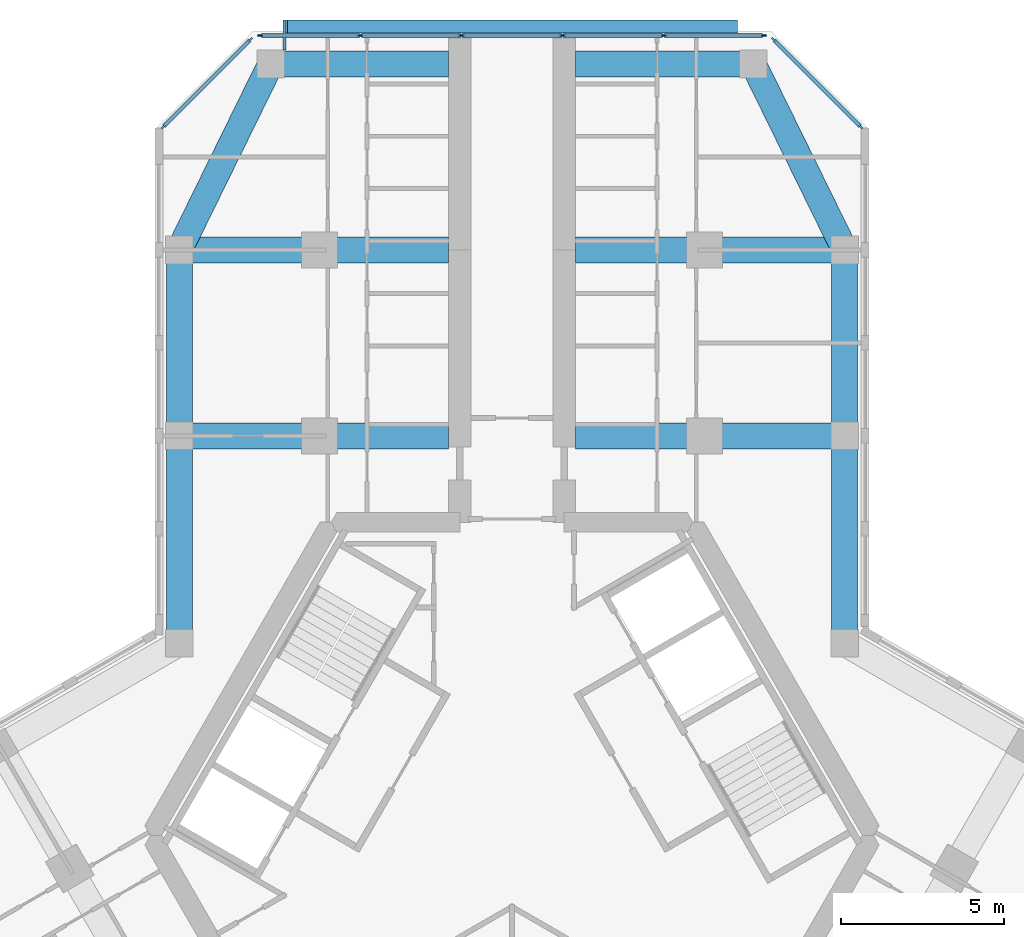
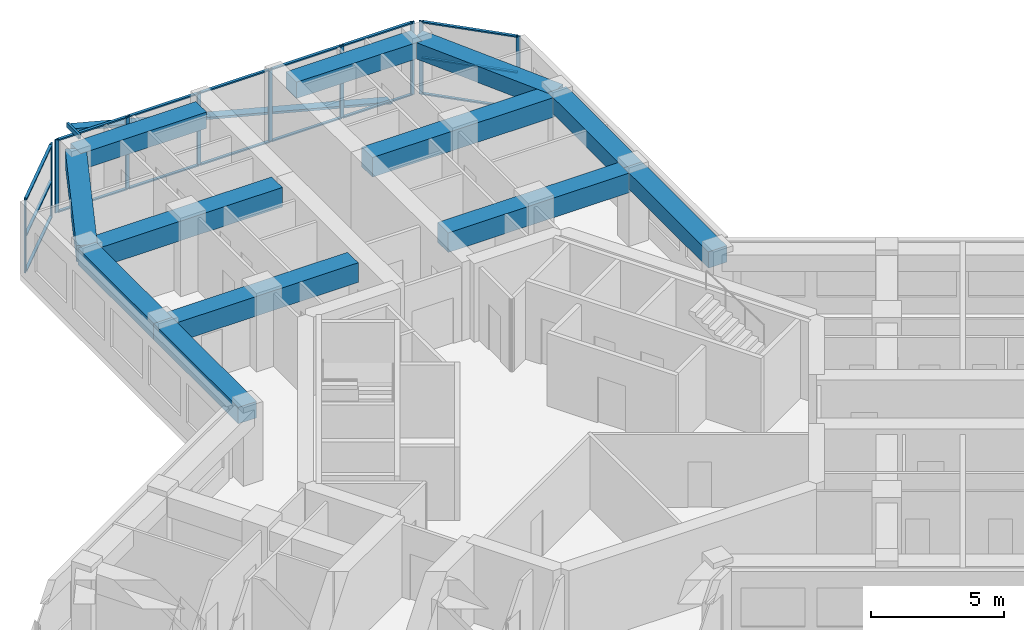
# One storey, part 6 of 16: 28 members, 12 beams, 3 elements without a shape of their own.
"""IFC4 building model written with IfcOpenShell, lengths in metres."""

from ifc_helpers import new_model, si_unit, direction, frame, origin, origin_2d, place, context, subcontext, project, spatial, rectangle, hollow_rectangle, extrude, material, material_profile, profile_set, type_object, element, aggregate, save


model = new_model("IFC4")

# Units and contexts
model_context = context("Model", 3, precision=1e-05, world=origin(), true_north=direction((0.0, 1.0)))
body_context = subcontext(model_context, "Body", "Model", "MODEL_VIEW")
ifc_project = project(units=[si_unit("LENGTHUNIT", "METRE"), si_unit("AREAUNIT", "SQUARE_METRE"), si_unit("VOLUMEUNIT", "CUBIC_METRE"), si_unit("PLANEANGLEUNIT", "RADIAN"), si_unit("MASSUNIT", "GRAM", prefix="KILO")], contexts=[model_context])

# Site, building, storey
site_placement = place(None, origin())
site = spatial("IfcSite", under=ifc_project, at=site_placement, CompositionType="ELEMENT")
building_placement = place(site_placement, origin())
building = spatial("IfcBuilding", under=site, at=building_placement, Name="Kosmar Iwan School Tower", CompositionType="ELEMENT")
storey_placement = place(building_placement, frame((0.0, 0.0, 253.199951171875)))
storey = spatial("IfcBuildingStorey", under=building, at=storey_placement, Name="L64", CompositionType="ELEMENT", Elevation=253.199951171875)

# Members
ifc_material_1 = material(Name="Black anodised aluminium", Category="aluminium")
ifc_material_profile_1 = material_profile(ifc_material_1, rectangle(XDim=0.10009765625, YDim=0.39990234375, at=origin_2d()), Name="FIN 100x400")
ifc_profile_set_1 = profile_set([ifc_material_profile_1], Name="Black anodised aluminium")
member_type_1 = type_object("IfcMemberType", Name="Diagonal fin 100x400", PredefinedType="USERDEFINED", material=ifc_profile_set_1)
member_1_placement = place(storey_placement, frame((6.898193359375, 24.800048828125, -0.14990234375), z_axis=(-0.967603633438, 0.0, 0.252474174041), x_axis=(0.252474174041, 0.0, 0.967603633438)))
element("IfcMember", 1, at=member_1_placement, inside=storey, type_object=member_type_1, Name="Diagonal fin L64-F06", ObjectType="FIN", PredefinedType="USERDEFINED", context=body_context, shape_type="SweptSolid", body=[
    extrude(rectangle(XDim=0.10009765625, YDim=0.39990234375, at=origin_2d()), origin(), (0.0, 0.0, 1.0), 14.25830078125),
])
ifc_material_2 = material(Name="Steel S355", Category="steel")
ifc_material_profile_2 = material_profile(ifc_material_2, hollow_rectangle(XDim=0.10009765625, YDim=0.199951171875, WallThickness=0.008056640625, at=origin_2d()), Name="RHS 200x100x8")
ifc_profile_set_2 = profile_set([ifc_material_profile_2], Name="Steel S355")
member_type_2 = type_object("IfcMemberType", Name="Fin bracket RHS 200x100", PredefinedType="USERDEFINED", material=ifc_profile_set_2)
member_2_placement = place(storey_placement, frame((-6.97509765625, 24.074951171875, 3.47509765625), z_axis=(0.0, 1.0, 0.0), x_axis=(-1.0, 0.0, 0.0)))
element("IfcMember", 2, at=member_2_placement, inside=storey, type_object=member_type_2, Name="Fin bracket L65", ObjectType="FIN BRACKET", PredefinedType="USERDEFINED", context=body_context, shape_type="SweptSolid", body=[
    extrude(hollow_rectangle(XDim=0.10009765625, YDim=0.199951171875, WallThickness=0.008056640625, at=origin_2d()), origin(), (0.0, 0.0, 1.0), 0.925048828125),
])

# Curtain wall, members
ifc_material_3 = material(Name="Dark glass in black aluminium frame", Category="aluminium")
curtain_wall_type_1 = type_object("IfcCurtainWallType", Name="Chamfer curtain wall dark glass", PredefinedType="USERDEFINED", material=ifc_material_3)
curtain_wall_1_placement = place(storey_placement, origin())
curtain_wall_1 = element("IfcCurtainWall", 3, at=curtain_wall_1_placement, inside=storey, type_object=curtain_wall_type_1, Name="Curtain wall L64-F05", ObjectType="FACETED CURTAIN WALL", PredefinedType="USERDEFINED")
ifc_material_4 = material(Name="Black anodised aluminium", Category="aluminium")
ifc_material_profile_3 = material_profile(ifc_material_4, rectangle(XDim=0.06005859375, YDim=0.159912109375, at=origin_2d()), Name="MULLION 60x160")
ifc_profile_set_3 = profile_set([ifc_material_profile_3], Name="Black anodised aluminium")
member_type_3 = type_object("IfcMemberType", Name="Mullion 60x160", PredefinedType="MULLION", material=ifc_profile_set_3)
member_3_placement = place(storey_placement, frame((10.69775390625, 21.7255859375, 0.0), z_axis=(0.0, 0.0, 1.0), x_axis=(-0.707106781187, -0.707106781187, 0.0)))
member_3 = element("IfcMember", 4, at=member_3_placement, type_object=member_type_3, Name="CW2 mullion 1", PredefinedType="MULLION", context=body_context, shape_type="SweptSolid", body=[
    extrude(rectangle(XDim=0.06005859375, YDim=0.159912109375, at=origin_2d()), origin(), (0.0, 0.0, 1.0), 3.35009765625),
])
member_4_placement = place(storey_placement, frame((8.025390625, 24.397705078125, 0.0), z_axis=(0.0, 0.0, 1.0), x_axis=(-0.707106781187, -0.707106781187, 0.0)))
member_4 = element("IfcMember", 5, at=member_4_placement, type_object=member_type_3, Name="CW2 mullion 2", PredefinedType="MULLION", context=body_context, shape_type="SweptSolid", body=[
    extrude(rectangle(XDim=0.06005859375, YDim=0.159912109375, at=origin_2d()), origin(), (0.0, 0.0, 1.0), 3.35009765625),
])

ifc_material_5 = material(Name="Dark glass in black aluminium frame", Category="aluminium")
curtain_wall_type_2 = type_object("IfcCurtainWallType", Name="Tower curtain wall dark glass", PredefinedType="USERDEFINED", material=ifc_material_5)
curtain_wall_2_placement = place(storey_placement, origin())
curtain_wall_2 = element("IfcCurtainWall", 6, at=curtain_wall_2_placement, inside=storey, type_object=curtain_wall_type_2, Name="Curtain wall L64-F06", ObjectType="UNITISED CURTAIN WALL", PredefinedType="USERDEFINED")
member_5_placement = place(storey_placement, frame((7.71826171875, 24.52490234375, 0.0), z_axis=(0.0, 0.0, 1.0), x_axis=(0.0, -1.0, 0.0)))
member_5 = element("IfcMember", 7, at=member_5_placement, type_object=member_type_3, Name="CW1 mullion 1", PredefinedType="MULLION", context=body_context, shape_type="SweptSolid", body=[
    extrude(rectangle(XDim=0.06005859375, YDim=0.159912109375, at=origin_2d()), origin(), (0.0, 0.0, 1.0), 3.35009765625),
])
member_6_placement = place(storey_placement, frame((4.64892578125, 24.52490234375, 0.0), z_axis=(0.0, 0.0, 1.0), x_axis=(0.0, -1.0, 0.0)))
member_6 = element("IfcMember", 8, at=member_6_placement, type_object=member_type_3, Name="CW1 mullion 2", PredefinedType="MULLION", context=body_context, shape_type="SweptSolid", body=[
    extrude(rectangle(XDim=0.06005859375, YDim=0.159912109375, at=origin_2d()), origin(), (0.0, 0.0, 1.0), 3.35009765625),
])
member_7_placement = place(storey_placement, frame((1.549560546875, 24.52490234375, 0.0), z_axis=(0.0, 0.0, 1.0), x_axis=(0.0, -1.0, 0.0)))
member_7 = element("IfcMember", 9, at=member_7_placement, type_object=member_type_3, Name="CW1 mullion 3", PredefinedType="MULLION", context=body_context, shape_type="SweptSolid", body=[
    extrude(rectangle(XDim=0.06005859375, YDim=0.159912109375, at=origin_2d()), origin(), (0.0, 0.0, 1.0), 3.35009765625),
])
member_8_placement = place(storey_placement, frame((-1.549560546875, 24.52490234375, 0.0), z_axis=(0.0, 0.0, 1.0), x_axis=(0.0, -1.0, 0.0)))
member_8 = element("IfcMember", 10, at=member_8_placement, type_object=member_type_3, Name="CW1 mullion 4", PredefinedType="MULLION", context=body_context, shape_type="SweptSolid", body=[
    extrude(rectangle(XDim=0.06005859375, YDim=0.159912109375, at=origin_2d()), origin(), (0.0, 0.0, 1.0), 3.35009765625),
])
member_9_placement = place(storey_placement, frame((-4.64892578125, 24.52490234375, 0.0), z_axis=(0.0, 0.0, 1.0), x_axis=(0.0, -1.0, 0.0)))
member_9 = element("IfcMember", 11, at=member_9_placement, type_object=member_type_3, Name="CW1 mullion 5", PredefinedType="MULLION", context=body_context, shape_type="SweptSolid", body=[
    extrude(rectangle(XDim=0.06005859375, YDim=0.159912109375, at=origin_2d()), origin(), (0.0, 0.0, 1.0), 3.35009765625),
])
member_10_placement = place(storey_placement, frame((-7.71826171875, 24.52490234375, 0.0), z_axis=(0.0, 0.0, 1.0), x_axis=(0.0, -1.0, 0.0)))
member_10 = element("IfcMember", 12, at=member_10_placement, type_object=member_type_3, Name="CW1 mullion 6", PredefinedType="MULLION", context=body_context, shape_type="SweptSolid", body=[
    extrude(rectangle(XDim=0.06005859375, YDim=0.159912109375, at=origin_2d()), origin(), (0.0, 0.0, 1.0), 3.35009765625),
])

curtain_wall_3_placement = place(storey_placement, origin())
curtain_wall_3 = element("IfcCurtainWall", 13, at=curtain_wall_3_placement, inside=storey, type_object=curtain_wall_type_1, Name="Curtain wall L64-F07", ObjectType="FACETED CURTAIN WALL", PredefinedType="USERDEFINED")
member_11_placement = place(storey_placement, frame((-8.025390625, 24.397705078125, 0.0), z_axis=(0.0, 0.0, 1.0), x_axis=(0.707106781187, -0.707106781187, 0.0)))
member_11 = element("IfcMember", 14, at=member_11_placement, type_object=member_type_3, Name="CW2 mullion 1", PredefinedType="MULLION", context=body_context, shape_type="SweptSolid", body=[
    extrude(rectangle(XDim=0.06005859375, YDim=0.159912109375, at=origin_2d()), origin(), (0.0, 0.0, 1.0), 3.35009765625),
])
member_12_placement = place(storey_placement, frame((-10.69775390625, 21.7255859375, 0.0), z_axis=(0.0, 0.0, 1.0), x_axis=(0.707106781187, -0.707106781187, 0.0)))
member_12 = element("IfcMember", 15, at=member_12_placement, type_object=member_type_3, Name="CW2 mullion 2", PredefinedType="MULLION", context=body_context, shape_type="SweptSolid", body=[
    extrude(rectangle(XDim=0.06005859375, YDim=0.159912109375, at=origin_2d()), origin(), (0.0, 0.0, 1.0), 3.35009765625),
])

# Beams
ifc_material_6 = material(Name="Concrete C50/60", Category="concrete")
ifc_material_profile_4 = material_profile(ifc_material_6, rectangle(XDim=0.800048828125, YDim=0.75, at=origin_2d()), Name="RC 800x750")
ifc_profile_set_4 = profile_set([ifc_material_profile_4], Name="Concrete C50/60")
beam_type_1 = type_object("IfcBeamType", Name="RC edge beam 800x750", PredefinedType="BEAM", material=ifc_profile_set_4)
beam_1_placement = place(storey_placement, frame((-10.199951171875, 5.888916015625, 2.97509765625), z_axis=(0.0, 1.0, 0.0), x_axis=(-1.0, 0.0, 0.0)))
element("IfcBeam", 16, at=beam_1_placement, inside=storey, type_object=beam_type_1, Name="Edge beam AL1", PredefinedType="BEAM", context=body_context, shape_type="SweptSolid", body=[
    extrude(rectangle(XDim=0.800048828125, YDim=0.75, at=origin_2d()), origin(), (0.0, 0.0, 1.0), 6.361083984375),
])
beam_2_placement = place(storey_placement, frame((-10.199951171875, 12.25, 2.97509765625), z_axis=(0.0, 1.0, 0.0), x_axis=(-1.0, 0.0, 0.0)))
element("IfcBeam", 17, at=beam_2_placement, inside=storey, type_object=beam_type_1, Name="Edge beam AL2", PredefinedType="BEAM", context=body_context, shape_type="SweptSolid", body=[
    extrude(rectangle(XDim=0.800048828125, YDim=0.75, at=origin_2d()), origin(), (0.0, 0.0, 1.0), 5.699951171875),
])
beam_3_placement = place(storey_placement, frame((10.199951171875, 5.888916015625, 2.97509765625), z_axis=(0.0, 1.0, 0.0), x_axis=(-1.0, 0.0, 0.0)))
element("IfcBeam", 18, at=beam_3_placement, inside=storey, type_object=beam_type_1, Name="Edge beam AR1", PredefinedType="BEAM", context=body_context, shape_type="SweptSolid", body=[
    extrude(rectangle(XDim=0.800048828125, YDim=0.75, at=origin_2d()), origin(), (0.0, 0.0, 1.0), 6.361083984375),
])
beam_4_placement = place(storey_placement, frame((10.199951171875, 12.25, 2.97509765625), z_axis=(0.0, 1.0, 0.0), x_axis=(-1.0, 0.0, 0.0)))
element("IfcBeam", 19, at=beam_4_placement, inside=storey, type_object=beam_type_1, Name="Edge beam AR2", PredefinedType="BEAM", context=body_context, shape_type="SweptSolid", body=[
    extrude(rectangle(XDim=0.800048828125, YDim=0.75, at=origin_2d()), origin(), (0.0, 0.0, 1.0), 5.699951171875),
])
ifc_material_7 = material(Name="Concrete C50/60", Category="concrete")
ifc_material_profile_5 = material_profile(ifc_material_7, rectangle(XDim=0.800048828125, YDim=0.75, at=origin_2d()), Name="RC 800x750")
ifc_profile_set_5 = profile_set([ifc_material_profile_5], Name="Concrete C50/60")
beam_type_2 = type_object("IfcBeamType", Name="RC tip beam 800x750", PredefinedType="BEAM", material=ifc_profile_set_5)
beam_5_placement = place(storey_placement, frame((-10.199951171875, 17.949951171875, 2.97509765625), z_axis=(0.440913116462, 0.897549788999, 0.0), x_axis=(-0.897549788999, 0.440913116462, 0.0)))
element("IfcBeam", 20, at=beam_5_placement, inside=storey, type_object=beam_type_2, Name="Tip beam AL", PredefinedType="BEAM", context=body_context, shape_type="SweptSolid", body=[
    extrude(rectangle(XDim=0.800048828125, YDim=0.75, at=origin_2d()), origin(), (0.0, 0.0, 1.0), 6.3505859375),
])
beam_6_placement = place(storey_placement, frame((-7.39990234375, 23.64990234375, 2.97509765625), z_axis=(1.0, 0.0, 0.0), x_axis=(0.0, 1.0, 0.0)))
element("IfcBeam", 21, at=beam_6_placement, inside=storey, type_object=beam_type_2, Name="Tip beam AL to corridor wall", PredefinedType="BEAM", context=body_context, shape_type="SweptSolid", body=[
    extrude(rectangle(XDim=0.800048828125, YDim=0.75, at=origin_2d()), origin(), (0.0, 0.0, 1.0), 5.449951171875),
])
beam_7_placement = place(storey_placement, frame((10.199951171875, 17.949951171875, 2.97509765625), z_axis=(-0.440913116462, 0.897549788999, 0.0), x_axis=(-0.897549788999, -0.440913116462, 0.0)))
element("IfcBeam", 22, at=beam_7_placement, inside=storey, type_object=beam_type_2, Name="Tip beam AR", PredefinedType="BEAM", context=body_context, shape_type="SweptSolid", body=[
    extrude(rectangle(XDim=0.800048828125, YDim=0.75, at=origin_2d()), origin(), (0.0, 0.0, 1.0), 6.3505859375),
])
beam_8_placement = place(storey_placement, frame((7.39990234375, 23.64990234375, 2.97509765625), z_axis=(-1.0, 0.0, 0.0), x_axis=(0.0, -1.0, 0.0)))
element("IfcBeam", 23, at=beam_8_placement, inside=storey, type_object=beam_type_2, Name="Tip beam AR to corridor wall", PredefinedType="BEAM", context=body_context, shape_type="SweptSolid", body=[
    extrude(rectangle(XDim=0.800048828125, YDim=0.75, at=origin_2d()), origin(), (0.0, 0.0, 1.0), 5.449951171875),
])
ifc_material_8 = material(Name="Concrete C50/60", Category="concrete")
ifc_material_profile_6 = material_profile(ifc_material_8, rectangle(XDim=0.800048828125, YDim=0.89990234375, at=origin_2d()), Name="RC 800x900")
ifc_profile_set_6 = profile_set([ifc_material_profile_6], Name="Concrete C50/60")
beam_type_3 = type_object("IfcBeamType", Name="RC transverse beam 800x900", PredefinedType="BEAM", material=ifc_profile_set_6)
for number, where, z_axis, x_axis, name in (
    (24, (-10.199951171875, 12.25, 2.900146484375), (1.0, 0.0, 0.0), (0.0, 1.0, 0.0), "Transverse beam AL1"),
    (25, (-10.199951171875, 17.949951171875, 2.900146484375), (1.0, 0.0, 0.0), (0.0, 1.0, 0.0), "Transverse beam AL2"),
    (26, (10.199951171875, 12.25, 2.900146484375), (-1.0, 0.0, 0.0), (0.0, -1.0, 0.0), "Transverse beam AR1"),
    (27, (10.199951171875, 17.949951171875, 2.900146484375), (-1.0, 0.0, 0.0), (0.0, -1.0, 0.0), "Transverse beam AR2"),
):
    element("IfcBeam", number, at=place(storey_placement, frame(where, z_axis=z_axis, x_axis=x_axis)), inside=storey, type_object=beam_type_3, Name=name, PredefinedType="BEAM", context=body_context, shape_type="SweptSolid", body=[
        extrude(rectangle(XDim=0.800048828125, YDim=0.89990234375, at=origin_2d()), origin(), (0.0, 0.0, 1.0), 8.25),
    ])

# Member
ifc_material_9 = material(Name="Black anodised aluminium", Category="aluminium")
ifc_material_profile_7 = material_profile(ifc_material_9, rectangle(XDim=0.1201171875, YDim=0.06005859375, at=origin_2d()), Name="TRANSOM 60x120")
ifc_profile_set_7 = profile_set([ifc_material_profile_7], Name="Black anodised aluminium")
member_type_4 = type_object("IfcMemberType", Name="Transom 60x120", PredefinedType="USERDEFINED", material=ifc_profile_set_7)
member_13_placement = place(storey_placement, frame((10.676513671875, 21.746826171875, 0.030029296875), z_axis=(-0.707139603466, 0.707073957383, 0.0), x_axis=(-0.707073957383, -0.707139603466, 0.0)))
member_13 = element("IfcMember", 28, at=member_13_placement, type_object=member_type_4, Name="CW2 transom 1.1", ObjectType="TRANSOM", PredefinedType="USERDEFINED", context=body_context, shape_type="SweptSolid", body=[
    extrude(rectangle(XDim=0.1201171875, YDim=0.06005859375, at=origin_2d()), origin(), (0.0, 0.0, 1.0), 3.718994140625),
])

member_14_placement = place(storey_placement, frame((10.676513671875, 21.746826171875, 1.675048828125), z_axis=(-0.707139603466, 0.707073957383, 0.0), x_axis=(-0.707073957383, -0.707139603466, 0.0)))
member_14 = element("IfcMember", 29, at=member_14_placement, type_object=member_type_4, Name="CW2 transom 1.2", ObjectType="TRANSOM", PredefinedType="USERDEFINED", context=body_context, shape_type="SweptSolid", body=[
    extrude(rectangle(XDim=0.1201171875, YDim=0.06005859375, at=origin_2d()), origin(), (0.0, 0.0, 1.0), 3.718994140625),
])

member_15_placement = place(storey_placement, frame((10.676513671875, 21.746826171875, 3.320068359375), z_axis=(-0.707139603466, 0.707073957383, 0.0), x_axis=(-0.707073957383, -0.707139603466, 0.0)))
member_15 = element("IfcMember", 30, at=member_15_placement, type_object=member_type_4, Name="CW2 transom 1.3", ObjectType="TRANSOM", PredefinedType="USERDEFINED", context=body_context, shape_type="SweptSolid", body=[
    extrude(rectangle(XDim=0.1201171875, YDim=0.06005859375, at=origin_2d()), origin(), (0.0, 0.0, 1.0), 3.718994140625),
])

aggregate(curtain_wall_1, [member_3, member_4, member_13, member_14, member_15])

member_16_placement = place(storey_placement, frame((7.688232421875, 24.52490234375, 0.030029296875), z_axis=(-1.0, 0.0, 0.0), x_axis=(0.0, -1.0, 0.0)))
member_16 = element("IfcMember", 31, at=member_16_placement, type_object=member_type_4, Name="CW1 transom 1.1", ObjectType="TRANSOM", PredefinedType="USERDEFINED", context=body_context, shape_type="SweptSolid", body=[
    extrude(rectangle(XDim=0.1201171875, YDim=0.06005859375, at=origin_2d()), origin(), (0.0, 0.0, 1.0), 3.00927734375),
])

member_17_placement = place(storey_placement, frame((7.688232421875, 24.52490234375, 3.320068359375), z_axis=(-1.0, 0.0, 0.0), x_axis=(0.0, -1.0, 0.0)))
member_17 = element("IfcMember", 32, at=member_17_placement, type_object=member_type_4, Name="CW1 transom 1.2", ObjectType="TRANSOM", PredefinedType="USERDEFINED", context=body_context, shape_type="SweptSolid", body=[
    extrude(rectangle(XDim=0.1201171875, YDim=0.06005859375, at=origin_2d()), origin(), (0.0, 0.0, 1.0), 3.00927734375),
])

member_18_placement = place(storey_placement, frame((4.618896484375, 24.52490234375, 0.030029296875), z_axis=(-1.0, 0.0, 0.0), x_axis=(0.0, -1.0, 0.0)))
member_18 = element("IfcMember", 33, at=member_18_placement, type_object=member_type_4, Name="CW1 transom 2.1", ObjectType="TRANSOM", PredefinedType="USERDEFINED", context=body_context, shape_type="SweptSolid", body=[
    extrude(rectangle(XDim=0.1201171875, YDim=0.06005859375, at=origin_2d()), origin(), (0.0, 0.0, 1.0), 3.039306640625),
])

member_19_placement = place(storey_placement, frame((4.618896484375, 24.52490234375, 3.320068359375), z_axis=(-1.0, 0.0, 0.0), x_axis=(0.0, -1.0, 0.0)))
member_19 = element("IfcMember", 34, at=member_19_placement, type_object=member_type_4, Name="CW1 transom 2.2", ObjectType="TRANSOM", PredefinedType="USERDEFINED", context=body_context, shape_type="SweptSolid", body=[
    extrude(rectangle(XDim=0.1201171875, YDim=0.06005859375, at=origin_2d()), origin(), (0.0, 0.0, 1.0), 3.039306640625),
])

member_20_placement = place(storey_placement, frame((1.51953125, 24.52490234375, 0.030029296875), z_axis=(-1.0, 0.0, 0.0), x_axis=(0.0, -1.0, 0.0)))
member_20 = element("IfcMember", 35, at=member_20_placement, type_object=member_type_4, Name="CW1 transom 3.1", ObjectType="TRANSOM", PredefinedType="USERDEFINED", context=body_context, shape_type="SweptSolid", body=[
    extrude(rectangle(XDim=0.1201171875, YDim=0.06005859375, at=origin_2d()), origin(), (0.0, 0.0, 1.0), 3.0390625),
])

member_21_placement = place(storey_placement, frame((1.51953125, 24.52490234375, 3.320068359375), z_axis=(-1.0, 0.0, 0.0), x_axis=(0.0, -1.0, 0.0)))
member_21 = element("IfcMember", 36, at=member_21_placement, type_object=member_type_4, Name="CW1 transom 3.2", ObjectType="TRANSOM", PredefinedType="USERDEFINED", context=body_context, shape_type="SweptSolid", body=[
    extrude(rectangle(XDim=0.1201171875, YDim=0.06005859375, at=origin_2d()), origin(), (0.0, 0.0, 1.0), 3.0390625),
])

member_22_placement = place(storey_placement, frame((-1.57958984375, 24.52490234375, 0.030029296875), z_axis=(-1.0, 0.0, 0.0), x_axis=(0.0, -1.0, 0.0)))
member_22 = element("IfcMember", 37, at=member_22_placement, type_object=member_type_4, Name="CW1 transom 4.1", ObjectType="TRANSOM", PredefinedType="USERDEFINED", context=body_context, shape_type="SweptSolid", body=[
    extrude(rectangle(XDim=0.1201171875, YDim=0.06005859375, at=origin_2d()), origin(), (0.0, 0.0, 1.0), 3.039306640625),
])

member_23_placement = place(storey_placement, frame((-1.57958984375, 24.52490234375, 3.320068359375), z_axis=(-1.0, 0.0, 0.0), x_axis=(0.0, -1.0, 0.0)))
member_23 = element("IfcMember", 38, at=member_23_placement, type_object=member_type_4, Name="CW1 transom 4.2", ObjectType="TRANSOM", PredefinedType="USERDEFINED", context=body_context, shape_type="SweptSolid", body=[
    extrude(rectangle(XDim=0.1201171875, YDim=0.06005859375, at=origin_2d()), origin(), (0.0, 0.0, 1.0), 3.039306640625),
])

member_24_placement = place(storey_placement, frame((-4.678955078125, 24.52490234375, 0.030029296875), z_axis=(-1.0, 0.0, 0.0), x_axis=(0.0, -1.0, 0.0)))
member_24 = element("IfcMember", 39, at=member_24_placement, type_object=member_type_4, Name="CW1 transom 5.1", ObjectType="TRANSOM", PredefinedType="USERDEFINED", context=body_context, shape_type="SweptSolid", body=[
    extrude(rectangle(XDim=0.1201171875, YDim=0.06005859375, at=origin_2d()), origin(), (0.0, 0.0, 1.0), 3.00927734375),
])

member_25_placement = place(storey_placement, frame((-4.678955078125, 24.52490234375, 3.320068359375), z_axis=(-1.0, 0.0, 0.0), x_axis=(0.0, -1.0, 0.0)))
member_25 = element("IfcMember", 40, at=member_25_placement, type_object=member_type_4, Name="CW1 transom 5.2", ObjectType="TRANSOM", PredefinedType="USERDEFINED", context=body_context, shape_type="SweptSolid", body=[
    extrude(rectangle(XDim=0.1201171875, YDim=0.06005859375, at=origin_2d()), origin(), (0.0, 0.0, 1.0), 3.00927734375),
])

aggregate(curtain_wall_2, [member_5, member_6, member_7, member_8, member_9, member_10, member_16, member_17, member_18, member_19, member_20, member_21, member_22, member_23, member_24, member_25])

member_26_placement = place(storey_placement, frame((-8.046630859375, 24.37646484375, 0.030029296875), z_axis=(-0.707139603466, -0.707073957383, 0.0), x_axis=(0.707073957383, -0.707139603466, 0.0)))
member_26 = element("IfcMember", 41, at=member_26_placement, type_object=member_type_4, Name="CW2 transom 1.1", ObjectType="TRANSOM", PredefinedType="USERDEFINED", context=body_context, shape_type="SweptSolid", body=[
    extrude(rectangle(XDim=0.1201171875, YDim=0.06005859375, at=origin_2d()), origin(), (0.0, 0.0, 1.0), 3.718994140625),
])

member_27_placement = place(storey_placement, frame((-8.046630859375, 24.37646484375, 1.675048828125), z_axis=(-0.707139603466, -0.707073957383, 0.0), x_axis=(0.707073957383, -0.707139603466, 0.0)))
member_27 = element("IfcMember", 42, at=member_27_placement, type_object=member_type_4, Name="CW2 transom 1.2", ObjectType="TRANSOM", PredefinedType="USERDEFINED", context=body_context, shape_type="SweptSolid", body=[
    extrude(rectangle(XDim=0.1201171875, YDim=0.06005859375, at=origin_2d()), origin(), (0.0, 0.0, 1.0), 3.718994140625),
])

member_28_placement = place(storey_placement, frame((-8.046630859375, 24.37646484375, 3.320068359375), z_axis=(-0.707139603466, -0.707073957383, 0.0), x_axis=(0.707073957383, -0.707139603466, 0.0)))
member_28 = element("IfcMember", 43, at=member_28_placement, type_object=member_type_4, Name="CW2 transom 1.3", ObjectType="TRANSOM", PredefinedType="USERDEFINED", context=body_context, shape_type="SweptSolid", body=[
    extrude(rectangle(XDim=0.1201171875, YDim=0.06005859375, at=origin_2d()), origin(), (0.0, 0.0, 1.0), 3.718994140625),
])

aggregate(curtain_wall_3, [member_11, member_12, member_26, member_27, member_28])

save(model, "model.ifc")
